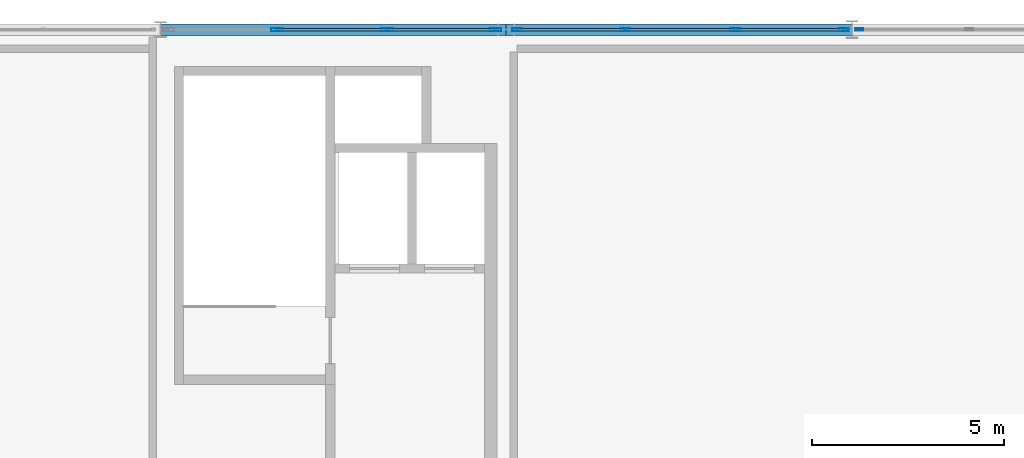
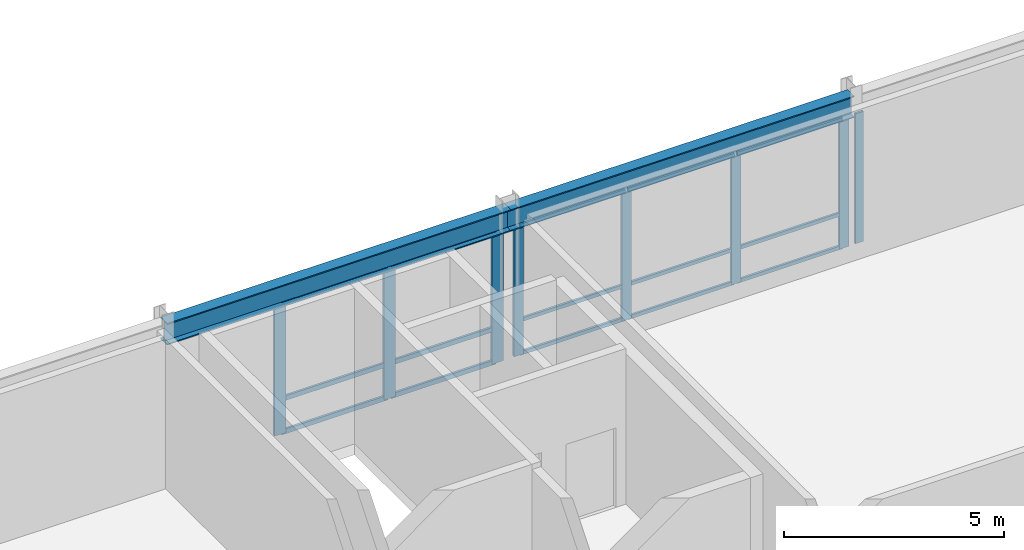
# One storey, part 32 of 67: 23 members, 2 beams, 3 elements without a shape of their own.
"""IFC4 building model written with IfcOpenShell, lengths in metres."""

from ifc_helpers import new_model, si_unit, direction, frame, origin, origin_2d, place, context, subcontext, project, spatial, hollow_rectangle, i_section, extrude, material, layer, layer_set, material_profile, profile_set, type_object, element, aggregate, save


model = new_model("IFC4")

# Units and contexts
model_context = context("Model", 3, precision=1e-05, world=origin(), true_north=direction((0.0, 1.0)))
body_context = subcontext(model_context, "Body", "Model", "MODEL_VIEW")
ifc_project = project(units=[si_unit("LENGTHUNIT", "METRE"), si_unit("AREAUNIT", "SQUARE_METRE"), si_unit("VOLUMEUNIT", "CUBIC_METRE"), si_unit("PLANEANGLEUNIT", "RADIAN"), si_unit("MASSUNIT", "GRAM", prefix="KILO")], contexts=[model_context])

# Site, building, storey
site_placement = place(None, origin())
site = spatial("IfcSite", under=ifc_project, at=site_placement, CompositionType="ELEMENT")
building_placement = place(site_placement, origin())
building = spatial("IfcBuilding", under=site, at=building_placement, Name="Montelvaro Courts of Justice", CompositionType="ELEMENT")
storey_placement = place(building_placement, frame((0.0, 0.0, 18.89990234375)))
storey = spatial("IfcBuildingStorey", under=building, at=storey_placement, Name="L04", CompositionType="ELEMENT", Elevation=18.89990234375)

# Beams
ifc_material_1 = material(Name="Steel S355", Category="steel")
ifc_material_profile_1 = material_profile(ifc_material_1, i_section(OverallWidth=0.300048828125, OverallDepth=0.60009765625, WebThickness=0.015380859375, FlangeThickness=0.030029296875, at=origin_2d()), Name="HEB 600")
ifc_profile_set_1 = profile_set([ifc_material_profile_1], Name="Steel S355")
beam_type = type_object("IfcBeamType", Name="Beam_HEB600", PredefinedType="USERDEFINED", material=ifc_profile_set_1)
for number, where, z_axis, x_axis, name in (
    (1, (117.0, 96.0, 3.900146484375), (1.0, 0.0, 0.0), (0.0, 1.0, 0.0), "V2 Roof Eave Girder"),
    (2, (126.0, 96.0, 3.900146484375), (1.0, 0.0, 0.0), (0.0, 1.0, 0.0), "V2 Roof Eave Girder"),
):
    element("IfcBeam", number, at=place(storey_placement, frame(where, z_axis=z_axis, x_axis=x_axis)), inside=storey, type_object=beam_type, Name=name, ObjectType="GIRDER", PredefinedType="USERDEFINED", context=body_context, shape_type="SweptSolid", body=[
        extrude(i_section(OverallWidth=0.300048828125, OverallDepth=0.60009765625, WebThickness=0.015380859375, FlangeThickness=0.030029296875, at=origin_2d()), origin(), (0.0, 0.0, 1.0), 9.0),
    ])

# Curtain wall, member
ifc_material_2 = material(Name="Anodised aluminium EN AW-6063", Category="aluminium")
ifc_layer_1 = layer(ifc_material_2, 0.159912109375)
ifc_layer_set_1 = layer_set([ifc_layer_1], Name="Anodised aluminium EN AW-6063")
curtain_wall_type_1 = type_object("IfcCurtainWallType", Name="CurtainWall_14_867x418", PredefinedType="USERDEFINED", material=ifc_layer_set_1)
curtain_wall_1_placement = place(storey_placement, origin())
curtain_wall_1 = element("IfcCurtainWall", 3, at=curtain_wall_1_placement, inside=storey, type_object=curtain_wall_type_1, Name="Curtain Wall CW-14 (L04)", ObjectType="CURTAIN WALL", PredefinedType="USERDEFINED")
ifc_material_profile_2 = material_profile(ifc_material_2, hollow_rectangle(XDim=0.06494140625, YDim=0.2099609375, WallThickness=0.0048828125, at=origin_2d()), Name="ALU-M 65x210")
ifc_profile_set_2 = profile_set([ifc_material_profile_2], Name="Anodised aluminium EN AW-6063")
member_type_1 = type_object("IfcMemberType", Name="CurtainWall_Mullion_65x210", PredefinedType="MULLION", material=ifc_profile_set_2)
member_1_placement = place(storey_placement, frame((135.197509765625, 96.0, 0.0), z_axis=(0.0, 0.0, 1.0), x_axis=(0.0, -1.0, 0.0)))
member_1 = element("IfcMember", 4, at=member_1_placement, type_object=member_type_1, Name="CW-14 mullion 4", PredefinedType="MULLION", context=body_context, shape_type="SweptSolid", body=[
    extrude(hollow_rectangle(XDim=0.06494140625, YDim=0.2099609375, WallThickness=0.0048828125, at=origin_2d()), origin(), (0.0, 0.0, 1.0), 3.59521484375),
])
aggregate(curtain_wall_1, [member_1])

# Curtain wall, members
ifc_layer_2 = layer(ifc_material_2, 0.159912109375)
ifc_layer_set_2 = layer_set([ifc_layer_2], Name="Anodised aluminium EN AW-6063")
curtain_wall_type_2 = type_object("IfcCurtainWallType", Name="CurtainWall_17_861x418", PredefinedType="USERDEFINED", material=ifc_layer_set_2)
curtain_wall_2_placement = place(storey_placement, origin())
curtain_wall_2 = element("IfcCurtainWall", 5, at=curtain_wall_2_placement, inside=storey, type_object=curtain_wall_type_2, Name="Curtain Wall CW-17 (L04)", ObjectType="CURTAIN WALL", PredefinedType="USERDEFINED")
ifc_material_profile_3 = material_profile(ifc_material_2, hollow_rectangle(XDim=0.074951171875, YDim=0.25, WallThickness=0.005615234375, at=origin_2d()), Name="ALU-M 75x250")
ifc_profile_set_3 = profile_set([ifc_material_profile_3], Name="Anodised aluminium EN AW-6063")
member_type_2 = type_object("IfcMemberType", Name="CurtainWall_Mullion_75x250", PredefinedType="MULLION", material=ifc_profile_set_3)
member_2_placement = place(storey_placement, frame((134.797607421875, 96.0, 0.0), z_axis=(0.0, 0.0, 1.0), x_axis=(0.0, -1.0, 0.0)))
member_2 = element("IfcMember", 6, at=member_2_placement, type_object=member_type_2, Name="CW-17 mullion 1", PredefinedType="MULLION", context=body_context, shape_type="SweptSolid", body=[
    extrude(hollow_rectangle(XDim=0.074951171875, YDim=0.25, WallThickness=0.005615234375, at=origin_2d()), origin(), (0.0, 0.0, 1.0), 3.59521484375),
])
member_3_placement = place(storey_placement, frame((131.969970703125, 96.0, 0.0), z_axis=(0.0, 0.0, 1.0), x_axis=(0.0, -1.0, 0.0)))
member_3 = element("IfcMember", 7, at=member_3_placement, type_object=member_type_2, Name="CW-17 mullion 2", PredefinedType="MULLION", context=body_context, shape_type="SweptSolid", body=[
    extrude(hollow_rectangle(XDim=0.074951171875, YDim=0.25, WallThickness=0.005615234375, at=origin_2d()), origin(), (0.0, 0.0, 1.0), 3.59521484375),
])
member_4_placement = place(storey_placement, frame((129.10498046875, 96.0, 0.0), z_axis=(0.0, 0.0, 1.0), x_axis=(0.0, -1.0, 0.0)))
member_4 = element("IfcMember", 8, at=member_4_placement, type_object=member_type_2, Name="CW-17 mullion 3", PredefinedType="MULLION", context=body_context, shape_type="SweptSolid", body=[
    extrude(hollow_rectangle(XDim=0.074951171875, YDim=0.25, WallThickness=0.005615234375, at=origin_2d()), origin(), (0.0, 0.0, 1.0), 3.59521484375),
])
member_5_placement = place(storey_placement, frame((126.277587890625, 96.0, 0.0), z_axis=(0.0, 0.0, 1.0), x_axis=(0.0, -1.0, 0.0)))
member_5 = element("IfcMember", 9, at=member_5_placement, type_object=member_type_2, Name="CW-17 mullion 4", PredefinedType="MULLION", context=body_context, shape_type="SweptSolid", body=[
    extrude(hollow_rectangle(XDim=0.074951171875, YDim=0.25, WallThickness=0.005615234375, at=origin_2d()), origin(), (0.0, 0.0, 1.0), 3.59521484375),
])

curtain_wall_3_placement = place(storey_placement, origin())
curtain_wall_3 = element("IfcCurtainWall", 10, at=curtain_wall_3_placement, inside=storey, type_object=curtain_wall_type_2, Name="Curtain Wall CW-17 (L04)", ObjectType="CURTAIN WALL", PredefinedType="USERDEFINED")
ifc_material_profile_4 = material_profile(ifc_material_2, hollow_rectangle(XDim=0.074951171875, YDim=0.300048828125, WallThickness=0.006103515625, at=origin_2d()), Name="ALU-M 75x300")
ifc_profile_set_4 = profile_set([ifc_material_profile_4], Name="Anodised aluminium EN AW-6063")
member_type_3 = type_object("IfcMemberType", Name="CurtainWall_Mullion_75x300", PredefinedType="MULLION", material=ifc_profile_set_4)
member_6_placement = place(storey_placement, frame((125.722412109375, 96.0, 0.0), z_axis=(0.0, 0.0, 1.0), x_axis=(0.0, -1.0, 0.0)))
member_6 = element("IfcMember", 11, at=member_6_placement, type_object=member_type_3, Name="CW-17 mullion 1", PredefinedType="MULLION", context=body_context, shape_type="SweptSolid", body=[
    extrude(hollow_rectangle(XDim=0.074951171875, YDim=0.300048828125, WallThickness=0.006103515625, at=origin_2d()), origin(), (0.0, 0.0, 1.0), 3.59521484375),
])
member_7_placement = place(storey_placement, frame((122.89501953125, 96.0, 0.0), z_axis=(0.0, 0.0, 1.0), x_axis=(0.0, -1.0, 0.0)))
member_7 = element("IfcMember", 12, at=member_7_placement, type_object=member_type_3, Name="CW-17 mullion 2", PredefinedType="MULLION", context=body_context, shape_type="SweptSolid", body=[
    extrude(hollow_rectangle(XDim=0.074951171875, YDim=0.300048828125, WallThickness=0.006103515625, at=origin_2d()), origin(), (0.0, 0.0, 1.0), 3.59521484375),
])
member_8_placement = place(storey_placement, frame((120.030029296875, 96.0, 0.0), z_axis=(0.0, 0.0, 1.0), x_axis=(0.0, -1.0, 0.0)))
member_8 = element("IfcMember", 13, at=member_8_placement, type_object=member_type_3, Name="CW-17 mullion 3", PredefinedType="MULLION", context=body_context, shape_type="SweptSolid", body=[
    extrude(hollow_rectangle(XDim=0.074951171875, YDim=0.300048828125, WallThickness=0.006103515625, at=origin_2d()), origin(), (0.0, 0.0, 1.0), 3.59521484375),
])

# Member
ifc_material_profile_5 = material_profile(ifc_material_2, hollow_rectangle(XDim=0.06005859375, YDim=0.10009765625, WallThickness=0.00341796875, at=origin_2d()), Name="ALU-T 60x100")
ifc_profile_set_5 = profile_set([ifc_material_profile_5], Name="Anodised aluminium EN AW-6063")
member_type_4 = type_object("IfcMemberType", Name="CurtainWall_Transom_60x100", PredefinedType="USERDEFINED", material=ifc_profile_set_5)
member_9_placement = place(storey_placement, frame((134.760009765625, 96.0, 0.030029296875), z_axis=(-1.0, 0.0, 0.0), x_axis=(0.0, -1.0, 0.0)))
member_9 = element("IfcMember", 14, at=member_9_placement, type_object=member_type_4, Name="CW-17 transom 1.1", ObjectType="TRANSOM", PredefinedType="USERDEFINED", context=body_context, shape_type="SweptSolid", body=[
    extrude(hollow_rectangle(XDim=0.06005859375, YDim=0.10009765625, WallThickness=0.00341796875, at=origin_2d()), origin(), (0.0, 0.0, 1.0), 2.75244140625),
])

member_10_placement = place(storey_placement, frame((134.760009765625, 96.0, 0.9501953125), z_axis=(-1.0, 0.0, 0.0), x_axis=(0.0, -1.0, 0.0)))
member_10 = element("IfcMember", 15, at=member_10_placement, type_object=member_type_4, Name="CW-17 transom 1.2", ObjectType="TRANSOM", PredefinedType="USERDEFINED", context=body_context, shape_type="SweptSolid", body=[
    extrude(hollow_rectangle(XDim=0.06005859375, YDim=0.10009765625, WallThickness=0.00341796875, at=origin_2d()), origin(), (0.0, 0.0, 1.0), 2.75244140625),
])

member_11_placement = place(storey_placement, frame((134.760009765625, 96.0, 3.565185546875), z_axis=(-1.0, 0.0, 0.0), x_axis=(0.0, -1.0, 0.0)))
member_11 = element("IfcMember", 16, at=member_11_placement, type_object=member_type_4, Name="CW-17 transom 1.3", ObjectType="TRANSOM", PredefinedType="USERDEFINED", context=body_context, shape_type="SweptSolid", body=[
    extrude(hollow_rectangle(XDim=0.06005859375, YDim=0.10009765625, WallThickness=0.00341796875, at=origin_2d()), origin(), (0.0, 0.0, 1.0), 2.75244140625),
])

member_12_placement = place(storey_placement, frame((131.9326171875, 96.0, 0.030029296875), z_axis=(-1.0, 0.0, 0.0), x_axis=(0.0, -1.0, 0.0)))
member_12 = element("IfcMember", 17, at=member_12_placement, type_object=member_type_4, Name="CW-17 transom 2.1", ObjectType="TRANSOM", PredefinedType="USERDEFINED", context=body_context, shape_type="SweptSolid", body=[
    extrude(hollow_rectangle(XDim=0.06005859375, YDim=0.10009765625, WallThickness=0.00341796875, at=origin_2d()), origin(), (0.0, 0.0, 1.0), 2.7900390625),
])

member_13_placement = place(storey_placement, frame((131.9326171875, 96.0, 0.9501953125), z_axis=(-1.0, 0.0, 0.0), x_axis=(0.0, -1.0, 0.0)))
member_13 = element("IfcMember", 18, at=member_13_placement, type_object=member_type_4, Name="CW-17 transom 2.2", ObjectType="TRANSOM", PredefinedType="USERDEFINED", context=body_context, shape_type="SweptSolid", body=[
    extrude(hollow_rectangle(XDim=0.06005859375, YDim=0.10009765625, WallThickness=0.00341796875, at=origin_2d()), origin(), (0.0, 0.0, 1.0), 2.7900390625),
])

member_14_placement = place(storey_placement, frame((131.9326171875, 96.0, 3.565185546875), z_axis=(-1.0, 0.0, 0.0), x_axis=(0.0, -1.0, 0.0)))
member_14 = element("IfcMember", 19, at=member_14_placement, type_object=member_type_4, Name="CW-17 transom 2.3", ObjectType="TRANSOM", PredefinedType="USERDEFINED", context=body_context, shape_type="SweptSolid", body=[
    extrude(hollow_rectangle(XDim=0.06005859375, YDim=0.10009765625, WallThickness=0.00341796875, at=origin_2d()), origin(), (0.0, 0.0, 1.0), 2.7900390625),
])

member_15_placement = place(storey_placement, frame((129.0673828125, 96.0, 0.030029296875), z_axis=(-1.0, 0.0, 0.0), x_axis=(0.0, -1.0, 0.0)))
member_15 = element("IfcMember", 20, at=member_15_placement, type_object=member_type_4, Name="CW-17 transom 3.1", ObjectType="TRANSOM", PredefinedType="USERDEFINED", context=body_context, shape_type="SweptSolid", body=[
    extrude(hollow_rectangle(XDim=0.06005859375, YDim=0.10009765625, WallThickness=0.00341796875, at=origin_2d()), origin(), (0.0, 0.0, 1.0), 2.75244140625),
])

member_16_placement = place(storey_placement, frame((129.0673828125, 96.0, 0.9501953125), z_axis=(-1.0, 0.0, 0.0), x_axis=(0.0, -1.0, 0.0)))
member_16 = element("IfcMember", 21, at=member_16_placement, type_object=member_type_4, Name="CW-17 transom 3.2", ObjectType="TRANSOM", PredefinedType="USERDEFINED", context=body_context, shape_type="SweptSolid", body=[
    extrude(hollow_rectangle(XDim=0.06005859375, YDim=0.10009765625, WallThickness=0.00341796875, at=origin_2d()), origin(), (0.0, 0.0, 1.0), 2.75244140625),
])

member_17_placement = place(storey_placement, frame((129.0673828125, 96.0, 3.565185546875), z_axis=(-1.0, 0.0, 0.0), x_axis=(0.0, -1.0, 0.0)))
member_17 = element("IfcMember", 22, at=member_17_placement, type_object=member_type_4, Name="CW-17 transom 3.3", ObjectType="TRANSOM", PredefinedType="USERDEFINED", context=body_context, shape_type="SweptSolid", body=[
    extrude(hollow_rectangle(XDim=0.06005859375, YDim=0.10009765625, WallThickness=0.00341796875, at=origin_2d()), origin(), (0.0, 0.0, 1.0), 2.75244140625),
])

aggregate(curtain_wall_2, [member_2, member_3, member_4, member_5, member_9, member_10, member_11, member_12, member_13, member_14, member_15, member_16, member_17])

ifc_material_profile_6 = material_profile(ifc_material_2, hollow_rectangle(XDim=0.06005859375, YDim=0.1298828125, WallThickness=0.00390625, at=origin_2d()), Name="ALU-T 60x130")
ifc_profile_set_6 = profile_set([ifc_material_profile_6], Name="Anodised aluminium EN AW-6063")
member_type_5 = type_object("IfcMemberType", Name="CurtainWall_Transom_60x130", PredefinedType="USERDEFINED", material=ifc_profile_set_6)
member_18_placement = place(storey_placement, frame((125.68505859375, 96.0, 0.030029296875), z_axis=(-1.0, 0.0, 0.0), x_axis=(0.0, -1.0, 0.0)))
member_18 = element("IfcMember", 23, at=member_18_placement, type_object=member_type_5, Name="CW-17 transom 1.1", ObjectType="TRANSOM", PredefinedType="USERDEFINED", context=body_context, shape_type="SweptSolid", body=[
    extrude(hollow_rectangle(XDim=0.06005859375, YDim=0.1298828125, WallThickness=0.00390625, at=origin_2d()), origin(), (0.0, 0.0, 1.0), 2.75244140625),
])

member_19_placement = place(storey_placement, frame((125.68505859375, 96.0, 0.9501953125), z_axis=(-1.0, 0.0, 0.0), x_axis=(0.0, -1.0, 0.0)))
member_19 = element("IfcMember", 24, at=member_19_placement, type_object=member_type_5, Name="CW-17 transom 1.2", ObjectType="TRANSOM", PredefinedType="USERDEFINED", context=body_context, shape_type="SweptSolid", body=[
    extrude(hollow_rectangle(XDim=0.06005859375, YDim=0.1298828125, WallThickness=0.00390625, at=origin_2d()), origin(), (0.0, 0.0, 1.0), 2.75244140625),
])

member_20_placement = place(storey_placement, frame((125.68505859375, 96.0, 3.565185546875), z_axis=(-1.0, 0.0, 0.0), x_axis=(0.0, -1.0, 0.0)))
member_20 = element("IfcMember", 25, at=member_20_placement, type_object=member_type_5, Name="CW-17 transom 1.3", ObjectType="TRANSOM", PredefinedType="USERDEFINED", context=body_context, shape_type="SweptSolid", body=[
    extrude(hollow_rectangle(XDim=0.06005859375, YDim=0.1298828125, WallThickness=0.00390625, at=origin_2d()), origin(), (0.0, 0.0, 1.0), 2.75244140625),
])

member_21_placement = place(storey_placement, frame((122.857421875, 96.0, 0.030029296875), z_axis=(-1.0, 0.0, 0.0), x_axis=(0.0, -1.0, 0.0)))
member_21 = element("IfcMember", 26, at=member_21_placement, type_object=member_type_5, Name="CW-17 transom 2.1", ObjectType="TRANSOM", PredefinedType="USERDEFINED", context=body_context, shape_type="SweptSolid", body=[
    extrude(hollow_rectangle(XDim=0.06005859375, YDim=0.1298828125, WallThickness=0.00390625, at=origin_2d()), origin(), (0.0, 0.0, 1.0), 2.7900390625),
])

member_22_placement = place(storey_placement, frame((122.857421875, 96.0, 0.9501953125), z_axis=(-1.0, 0.0, 0.0), x_axis=(0.0, -1.0, 0.0)))
member_22 = element("IfcMember", 27, at=member_22_placement, type_object=member_type_5, Name="CW-17 transom 2.2", ObjectType="TRANSOM", PredefinedType="USERDEFINED", context=body_context, shape_type="SweptSolid", body=[
    extrude(hollow_rectangle(XDim=0.06005859375, YDim=0.1298828125, WallThickness=0.00390625, at=origin_2d()), origin(), (0.0, 0.0, 1.0), 2.7900390625),
])

member_23_placement = place(storey_placement, frame((122.857421875, 96.0, 3.565185546875), z_axis=(-1.0, 0.0, 0.0), x_axis=(0.0, -1.0, 0.0)))
member_23 = element("IfcMember", 28, at=member_23_placement, type_object=member_type_5, Name="CW-17 transom 2.3", ObjectType="TRANSOM", PredefinedType="USERDEFINED", context=body_context, shape_type="SweptSolid", body=[
    extrude(hollow_rectangle(XDim=0.06005859375, YDim=0.1298828125, WallThickness=0.00390625, at=origin_2d()), origin(), (0.0, 0.0, 1.0), 2.7900390625),
])

aggregate(curtain_wall_3, [member_6, member_7, member_8, member_18, member_19, member_20, member_21, member_22, member_23])

save(model, "model.ifc")
